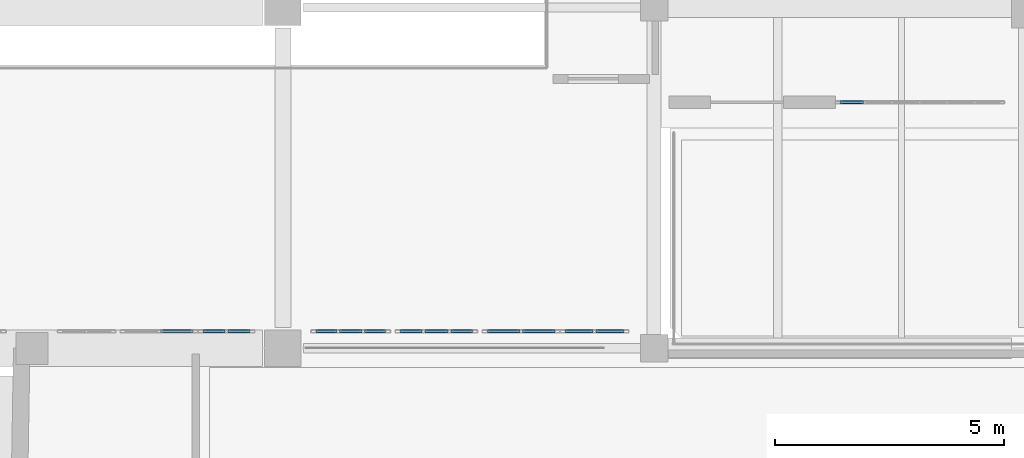
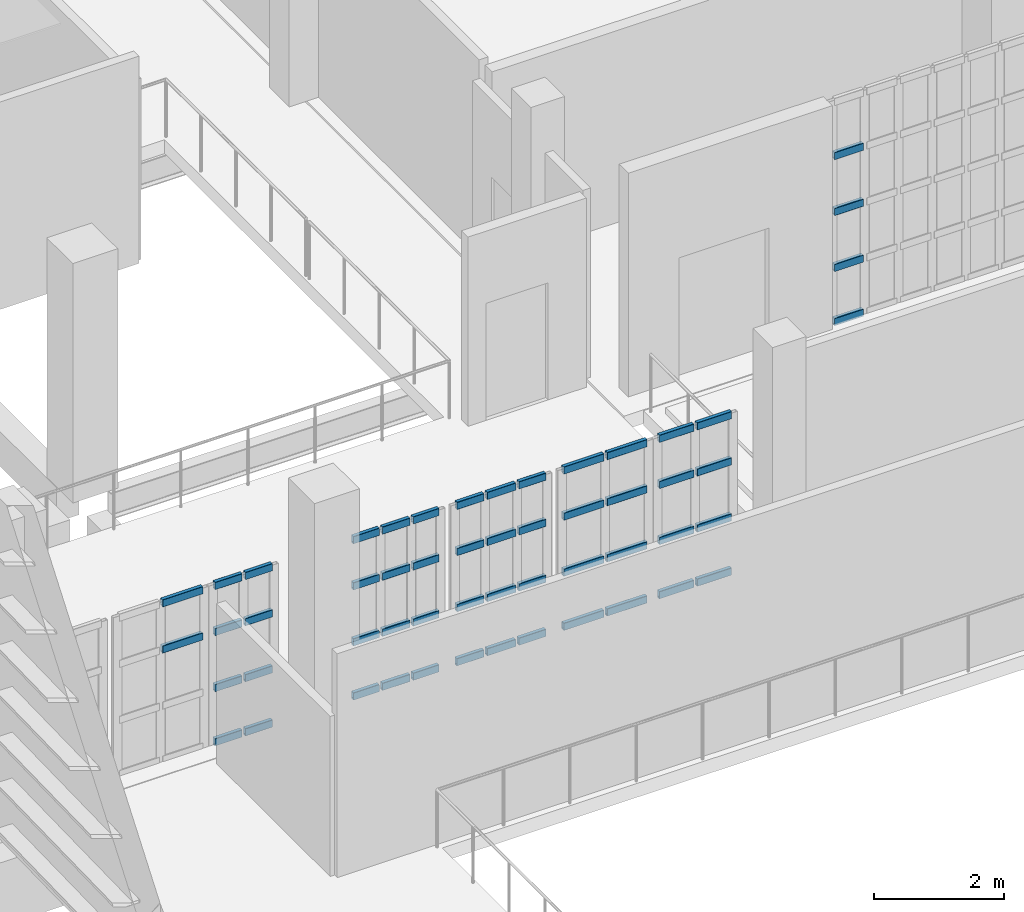
# One storey, part 38 of 73: 54 members, 7 elements without a shape of their own.
"""IFC4 building model written with IfcOpenShell, lengths in metres."""

import ifcopenshell
import ifcopenshell.guid

model = None  # the IFC model being written
_history = None  # IfcOwnerHistory: only IFC2X3 demands one
_inside = {}  # id of a spatial element -> (the spatial element, [elements in it])
_under = {}  # id of a project, library or spatial element -> (it, [spatial elements below it])
_declared = {}  # id of a project -> (the project, [libraries it declares])
_typed = {}  # id of a type object -> (the type object, [elements of that type])
_made_of = {}  # id of a material, layer set ... -> (it, [elements and type objects made of it])


def new_model(schema):
    """Start an empty IFC model of exactly this schema.

    Asked for "IFC4X3", IfcOpenShell would pick the latest addendum, in which some entities
    have other attributes; the version numbers below select the first issue.
    IFC2X3 requires an IfcOwnerHistory on every rooted entity: one is made here for all.
    """
    global model, _history
    if schema == "IFC4X3":
        model = ifcopenshell.file(schema_version=(4, 3, 0, 0))
    else:
        model = ifcopenshell.file(schema=schema)
    _inside.clear()
    _under.clear()
    _declared.clear()
    _typed.clear()
    _made_of.clear()
    _history = None
    if model.schema == "IFC2X3":
        org = make("IfcOrganization", Name="unknown")
        user = make(
            "IfcPersonAndOrganization",
            ThePerson=make("IfcPerson", FamilyName="unknown"),
            TheOrganization=org,
        )
        app = make(
            "IfcApplication",
            ApplicationDeveloper=org,
            Version="unknown",
            ApplicationFullName="unknown",
            ApplicationIdentifier="unknown",
        )
        _history = make(
            "IfcOwnerHistory",
            OwningUser=user,
            OwningApplication=app,
            ChangeAction="ADDED",
            CreationDate=0,
        )
    return model


def make(cls, **values):
    """One entity of the class cls with the attributes given. An attribute that is None is left unset."""
    return model.create_entity(
        cls, **{name: value for name, value in values.items() if value is not None}
    )


def rooted(cls, **values):
    """An entity with a GlobalId (a new one), such as an element, a storey or a relation."""
    return make(cls, GlobalId=ifcopenshell.guid.new(), OwnerHistory=_history, **values)


def si_unit(unit_type, name, prefix=None):
    """IfcSIUnit, for example si_unit("LENGTHUNIT", "METRE", prefix="MILLI")."""
    return make("IfcSIUnit", UnitType=unit_type, Prefix=prefix, Name=name)


def assignment(units):
    """IfcUnitAssignment: the units of a project."""
    return None if units is None else make("IfcUnitAssignment", Units=units)


def point(xyz):
    """IfcCartesianPoint."""
    return None if xyz is None else make("IfcCartesianPoint", Coordinates=xyz)


def direction(xyz):
    """IfcDirection."""
    return None if xyz is None else make("IfcDirection", DirectionRatios=xyz)


def frame(location, z_axis=None, x_axis=None):
    """IfcAxis2Placement3D, a coordinate frame: its origin and axes. An axis left out is left unset."""
    return make(
        "IfcAxis2Placement3D",
        Location=point(location),
        Axis=direction(z_axis),
        RefDirection=direction(x_axis),
    )


def frame_2d(location, x_axis=None):
    """IfcAxis2Placement2D, a coordinate frame in the plane: its origin and x axis."""
    return make(
        "IfcAxis2Placement2D", Location=point(location), RefDirection=direction(x_axis)
    )


def origin():
    """The frame at (0, 0, 0) with its axes left unset."""
    return frame((0.0, 0.0, 0.0))


def origin_2d():
    """The frame at (0, 0) in the plane with its x axis left unset."""
    return frame_2d((0.0, 0.0))


def place(relative_to, where):
    """IfcLocalPlacement: puts the frame where relative to a parent placement (None: the world)."""
    return make(
        "IfcLocalPlacement", PlacementRelTo=relative_to, RelativePlacement=where
    )


def context(
    kind, dimensions, precision=None, world=None, true_north=None, identifier=None
):
    """IfcGeometricRepresentationContext, for example the 3D "Model" context."""
    return make(
        "IfcGeometricRepresentationContext",
        ContextIdentifier=identifier,
        ContextType=kind,
        CoordinateSpaceDimension=dimensions,
        Precision=precision,
        WorldCoordinateSystem=world,
        TrueNorth=true_north,
    )


def subcontext(parent, identifier, kind, view, scale=None):
    """IfcGeometricRepresentationSubContext, for example "Body" below "Model"."""
    return make(
        "IfcGeometricRepresentationSubContext",
        ContextIdentifier=identifier,
        ContextType=kind,
        ParentContext=parent,
        TargetScale=scale,
        TargetView=view,
    )


def project(units=None, contexts=None):
    """IfcProject with its units and contexts."""
    return rooted(
        "IfcProject",
        Name="project",
        RepresentationContexts=contexts,
        UnitsInContext=assignment(units),
    )


def spatial(cls, under=None, at=None, **own):
    """A site, building, storey or space (cls), placed at a placement, below another one or the project."""
    s = rooted(cls, ObjectPlacement=at, **own)
    if under is not None:
        _under.setdefault(under.id(), (under, []))[1].append(s)
    return s


def profile(cls, at=None, kind="AREA", **sizes):
    """A parametric profile (cls). Its sizes go by their IFC names, for example OverallWidth=200.0."""
    return make(cls, ProfileType=kind, Position=at, **sizes)


def hollow_rectangle(**sizes):
    """IfcRectangleHollowProfileDef."""
    return profile("IfcRectangleHollowProfileDef", **sizes)


def extrude(swept, where, along, depth):
    """IfcExtrudedAreaSolid: the profile swept, set in the frame where, extruded along a direction by depth."""
    return make(
        "IfcExtrudedAreaSolid",
        SweptArea=swept,
        Position=where,
        ExtrudedDirection=direction(along),
        Depth=depth,
    )


def shape(context_of_items, identifier, shape_type, items):
    """IfcShapeRepresentation: the items that make up one representation, for example the "Body"."""
    return make(
        "IfcShapeRepresentation",
        ContextOfItems=context_of_items,
        RepresentationIdentifier=identifier,
        RepresentationType=shape_type,
        Items=items,
    )


def material(Name=None, Category=None):
    """IfcMaterial."""
    return make("IfcMaterial", Name=Name, Category=Category)


def material_profile(
    of_material, cross_section, Name=None, Category=None, Priority=None
):
    """IfcMaterialProfile: a cross section and its material."""
    return make(
        "IfcMaterialProfile",
        Name=Name,
        Material=of_material,
        Profile=cross_section,
        Priority=Priority,
        Category=Category,
    )


def profile_set(profiles, Name=None, composite=None):
    """IfcMaterialProfileSet."""
    return make(
        "IfcMaterialProfileSet",
        Name=Name,
        MaterialProfiles=profiles,
        CompositeProfile=composite,
    )


def made_of(thing, what):
    """Note that an element or type object is made of a material, layer set ...; save() writes the relation."""
    if what is not None:
        _made_of.setdefault(what.id(), (what, []))[1].append(thing)
    return thing


def type_object(cls, material=None, **own):
    """A type object (cls), such as IfcWallType, which elements share."""
    return made_of(rooted(cls, **own), material)


def element(
    cls,
    number,
    at=None,
    inside=None,
    cuts=None,
    type_object=None,
    material=None,
    context=None,
    identifier="Body",
    shape_type=None,
    held_by="IfcProductDefinitionShape",
    body=None,
    shapes=None,
    **own,
):
    """One element of the class cls, such as IfcWall. Its Tag is "e" and its number.

    at: its placement. inside: the storey or other place that contains it. cuts: it is an
    opening in that element (IfcRelVoidsElement). A single representation is given by context,
    identifier, shape_type and body (its items); several are given by shapes. held_by: the class
    of the entity that holds the representations. save() writes the other relations.
    """
    e = rooted(cls, Tag="e%d" % number, ObjectPlacement=at, **own)
    if body is not None:
        shapes = [shape(context, identifier, shape_type, body)]
    if shapes is not None:
        e.Representation = make(held_by, Representations=shapes)
    if inside is not None:
        _inside.setdefault(inside.id(), (inside, []))[1].append(e)
    if cuts is not None:
        rooted(
            "IfcRelVoidsElement", RelatingBuildingElement=cuts, RelatedOpeningElement=e
        )
    if type_object is not None:
        _typed.setdefault(type_object.id(), (type_object, []))[1].append(e)
    return made_of(e, material)


def aggregate(whole, parts):
    """IfcRelAggregates: a whole, such as a stair, and the parts it consists of."""
    return rooted("IfcRelAggregates", RelatingObject=whole, RelatedObjects=parts)


def save(model, path):
    """Write the relations noted so far, then the file.

    IfcRelAggregates (storeys below a building ...), IfcRelContainedInSpatialStructure (elements
    in a storey), IfcRelDefinesByType, IfcRelAssociatesMaterial and IfcRelDeclares: one each for
    every whole, place, type object, material and project.
    """
    for whole, parts in _under.values():
        aggregate(whole, parts)
    for where, things in _inside.values():
        rooted(
            "IfcRelContainedInSpatialStructure",
            RelatedElements=things,
            RelatingStructure=where,
        )
    for kind, things in _typed.values():
        rooted("IfcRelDefinesByType", RelatedObjects=things, RelatingType=kind)
    for what, things in _made_of.values():
        rooted("IfcRelAssociatesMaterial", RelatedObjects=things, RelatingMaterial=what)
    for by, libraries in _declared.values():
        rooted("IfcRelDeclares", RelatingContext=by, RelatedDefinitions=libraries)
    model.write(path)


model = new_model("IFC4")

# Units and contexts
model_context = context("Model", 3, precision=1e-05, world=origin(), true_north=direction((0.0, 1.0)))
body_context = subcontext(model_context, "Body", "Model", "MODEL_VIEW")
ifc_project = project(units=[si_unit("LENGTHUNIT", "METRE"), si_unit("AREAUNIT", "SQUARE_METRE"), si_unit("VOLUMEUNIT", "CUBIC_METRE"), si_unit("PLANEANGLEUNIT", "RADIAN"), si_unit("MASSUNIT", "GRAM", prefix="KILO")], contexts=[model_context])

# Site, building, storey
site_placement = place(None, origin())
site = spatial("IfcSite", under=ifc_project, at=site_placement, CompositionType="ELEMENT")
building_placement = place(site_placement, origin())
building = spatial("IfcBuilding", under=site, at=building_placement, Name="Kaelora Sail Theatre", CompositionType="ELEMENT")
storey_placement = place(building_placement, frame((0.0, 0.0, 10.199951171875)))
storey = spatial("IfcBuildingStorey", under=building, at=storey_placement, Name="L02", CompositionType="ELEMENT", Elevation=10.199951171875)

# Curtain wall, members
ifc_material_1 = material(Name="Anodised aluminium and solar-control low-E IGU", Category="aluminium")
curtain_wall_type = type_object("IfcCurtainWallType", Name="ARC-CW-CW-BRG", PredefinedType="NOTDEFINED", material=ifc_material_1)
curtain_wall_1_placement = place(storey_placement, origin())
curtain_wall_1 = element("IfcCurtainWall", 1, at=curtain_wall_1_placement, inside=storey, type_object=curtain_wall_type, Name="Glazed Foyer/Conservatory Curtain Wall FC1-S-L02-03", PredefinedType="NOTDEFINED")
ifc_material_2 = material(Name="Anodised aluminium 6063-T6", Category="aluminium")
ifc_material_profile = material_profile(ifc_material_2, hollow_rectangle(XDim=0.070068359375, YDim=0.139892578125, WallThickness=0.00390625, InnerFilletRadius=0.00390625, OuterFilletRadius=0.008056640625, at=origin_2d()), Name="ALU-TRAN 70x140x4")
ifc_profile_set = profile_set([ifc_material_profile], Name="Anodised aluminium 6063-T6")
member_type = type_object("IfcMemberType", Name="ARC-MEM-TR-140", PredefinedType="USERDEFINED", material=ifc_profile_set)
member_1_placement = place(storey_placement, frame((79.830078125, 61.389892578125, 2.10498046875), z_axis=(1.0, 0.0, 0.0), x_axis=(0.0, 1.0, 0.0)))
member_1 = element("IfcMember", 2, at=member_1_placement, type_object=member_type, Name="CW-BRG transom 2.3", ObjectType="TRANSOM", PredefinedType="USERDEFINED", context=body_context, shape_type="SweptSolid", body=[
    extrude(hollow_rectangle(XDim=0.070068359375, YDim=0.139892578125, WallThickness=0.00390625, InnerFilletRadius=0.00390625, OuterFilletRadius=0.008056640625, at=origin_2d()), origin(), (0.0, 0.0, 1.0), 0.7099609375),
])
member_2_placement = place(storey_placement, frame((79.830078125, 61.389892578125, 2.97216796875), z_axis=(1.0, 0.0, 0.0), x_axis=(0.0, 1.0, 0.0)))
member_2 = element("IfcMember", 3, at=member_2_placement, type_object=member_type, Name="CW-BRG transom 2.4", ObjectType="TRANSOM", PredefinedType="USERDEFINED", context=body_context, shape_type="SweptSolid", body=[
    extrude(hollow_rectangle(XDim=0.070068359375, YDim=0.139892578125, WallThickness=0.00390625, InnerFilletRadius=0.00390625, OuterFilletRadius=0.008056640625, at=origin_2d()), origin(), (0.0, 0.0, 1.0), 0.7099609375),
])
aggregate(curtain_wall_1, [member_1, member_2])

curtain_wall_2_placement = place(storey_placement, origin())
curtain_wall_2 = element("IfcCurtainWall", 4, at=curtain_wall_2_placement, inside=storey, type_object=curtain_wall_type, Name="Glazed Foyer/Conservatory Curtain Wall FC1-S-L02-04", PredefinedType="NOTDEFINED")
member_3_placement = place(storey_placement, frame((80.760009765625, 61.389892578125, 0.03515625), z_axis=(1.0, 0.0, 0.0), x_axis=(0.0, 1.0, 0.0)))
member_3 = element("IfcMember", 5, at=member_3_placement, type_object=member_type, Name="CW-BRG transom 1.1", ObjectType="TRANSOM", PredefinedType="USERDEFINED", context=body_context, shape_type="SweptSolid", body=[
    extrude(hollow_rectangle(XDim=0.070068359375, YDim=0.139892578125, WallThickness=0.00390625, InnerFilletRadius=0.00390625, OuterFilletRadius=0.008056640625, at=origin_2d()), origin(), (0.0, 0.0, 1.0), 0.47998046875),
])
member_4_placement = place(storey_placement, frame((80.760009765625, 61.389892578125, 1.052490234375), z_axis=(1.0, 0.0, 0.0), x_axis=(0.0, 1.0, 0.0)))
member_4 = element("IfcMember", 6, at=member_4_placement, type_object=member_type, Name="CW-BRG transom 1.2", ObjectType="TRANSOM", PredefinedType="USERDEFINED", context=body_context, shape_type="SweptSolid", body=[
    extrude(hollow_rectangle(XDim=0.070068359375, YDim=0.139892578125, WallThickness=0.00390625, InnerFilletRadius=0.00390625, OuterFilletRadius=0.008056640625, at=origin_2d()), origin(), (0.0, 0.0, 1.0), 0.47998046875),
])
member_5_placement = place(storey_placement, frame((80.760009765625, 61.389892578125, 2.10498046875), z_axis=(1.0, 0.0, 0.0), x_axis=(0.0, 1.0, 0.0)))
member_5 = element("IfcMember", 7, at=member_5_placement, type_object=member_type, Name="CW-BRG transom 1.3", ObjectType="TRANSOM", PredefinedType="USERDEFINED", context=body_context, shape_type="SweptSolid", body=[
    extrude(hollow_rectangle(XDim=0.070068359375, YDim=0.139892578125, WallThickness=0.00390625, InnerFilletRadius=0.00390625, OuterFilletRadius=0.008056640625, at=origin_2d()), origin(), (0.0, 0.0, 1.0), 0.47998046875),
])
member_6_placement = place(storey_placement, frame((80.760009765625, 61.389892578125, 2.97216796875), z_axis=(1.0, 0.0, 0.0), x_axis=(0.0, 1.0, 0.0)))
member_6 = element("IfcMember", 8, at=member_6_placement, type_object=member_type, Name="CW-BRG transom 1.4", ObjectType="TRANSOM", PredefinedType="USERDEFINED", context=body_context, shape_type="SweptSolid", body=[
    extrude(hollow_rectangle(XDim=0.070068359375, YDim=0.139892578125, WallThickness=0.00390625, InnerFilletRadius=0.00390625, OuterFilletRadius=0.008056640625, at=origin_2d()), origin(), (0.0, 0.0, 1.0), 0.47998046875),
])
member_7_placement = place(storey_placement, frame((81.300048828125, 61.389892578125, 0.03515625), z_axis=(1.0, 0.0, 0.0), x_axis=(0.0, 1.0, 0.0)))
member_7 = element("IfcMember", 9, at=member_7_placement, type_object=member_type, Name="CW-BRG transom 2.1", ObjectType="TRANSOM", PredefinedType="USERDEFINED", context=body_context, shape_type="SweptSolid", body=[
    extrude(hollow_rectangle(XDim=0.070068359375, YDim=0.139892578125, WallThickness=0.00390625, InnerFilletRadius=0.00390625, OuterFilletRadius=0.008056640625, at=origin_2d()), origin(), (0.0, 0.0, 1.0), 0.47998046875),
])
member_8_placement = place(storey_placement, frame((81.300048828125, 61.389892578125, 1.052490234375), z_axis=(1.0, 0.0, 0.0), x_axis=(0.0, 1.0, 0.0)))
member_8 = element("IfcMember", 10, at=member_8_placement, type_object=member_type, Name="CW-BRG transom 2.2", ObjectType="TRANSOM", PredefinedType="USERDEFINED", context=body_context, shape_type="SweptSolid", body=[
    extrude(hollow_rectangle(XDim=0.070068359375, YDim=0.139892578125, WallThickness=0.00390625, InnerFilletRadius=0.00390625, OuterFilletRadius=0.008056640625, at=origin_2d()), origin(), (0.0, 0.0, 1.0), 0.47998046875),
])
member_9_placement = place(storey_placement, frame((81.300048828125, 61.389892578125, 2.10498046875), z_axis=(1.0, 0.0, 0.0), x_axis=(0.0, 1.0, 0.0)))
member_9 = element("IfcMember", 11, at=member_9_placement, type_object=member_type, Name="CW-BRG transom 2.3", ObjectType="TRANSOM", PredefinedType="USERDEFINED", context=body_context, shape_type="SweptSolid", body=[
    extrude(hollow_rectangle(XDim=0.070068359375, YDim=0.139892578125, WallThickness=0.00390625, InnerFilletRadius=0.00390625, OuterFilletRadius=0.008056640625, at=origin_2d()), origin(), (0.0, 0.0, 1.0), 0.47998046875),
])
member_10_placement = place(storey_placement, frame((81.300048828125, 61.389892578125, 2.97216796875), z_axis=(1.0, 0.0, 0.0), x_axis=(0.0, 1.0, 0.0)))
member_10 = element("IfcMember", 12, at=member_10_placement, type_object=member_type, Name="CW-BRG transom 2.4", ObjectType="TRANSOM", PredefinedType="USERDEFINED", context=body_context, shape_type="SweptSolid", body=[
    extrude(hollow_rectangle(XDim=0.070068359375, YDim=0.139892578125, WallThickness=0.00390625, InnerFilletRadius=0.00390625, OuterFilletRadius=0.008056640625, at=origin_2d()), origin(), (0.0, 0.0, 1.0), 0.47998046875),
])
aggregate(curtain_wall_2, [member_3, member_4, member_5, member_6, member_7, member_8, member_9, member_10])

curtain_wall_3_placement = place(storey_placement, origin())
curtain_wall_3 = element("IfcCurtainWall", 13, at=curtain_wall_3_placement, inside=storey, type_object=curtain_wall_type, Name="Glazed Foyer/Conservatory Curtain Wall FC1-S-L02-05", PredefinedType="NOTDEFINED")
member_11_placement = place(storey_placement, frame((83.219970703125, 61.389892578125, 0.03515625), z_axis=(1.0, 0.0, 0.0), x_axis=(0.0, 1.0, 0.0)))
member_11 = element("IfcMember", 14, at=member_11_placement, type_object=member_type, Name="CW-BRG transom 1.1", ObjectType="TRANSOM", PredefinedType="USERDEFINED", context=body_context, shape_type="SweptSolid", body=[
    extrude(hollow_rectangle(XDim=0.070068359375, YDim=0.139892578125, WallThickness=0.00390625, InnerFilletRadius=0.00390625, OuterFilletRadius=0.008056640625, at=origin_2d()), origin(), (0.0, 0.0, 1.0), 0.456787109375),
])
member_12_placement = place(storey_placement, frame((83.219970703125, 61.389892578125, 1.052490234375), z_axis=(1.0, 0.0, 0.0), x_axis=(0.0, 1.0, 0.0)))
member_12 = element("IfcMember", 15, at=member_12_placement, type_object=member_type, Name="CW-BRG transom 1.2", ObjectType="TRANSOM", PredefinedType="USERDEFINED", context=body_context, shape_type="SweptSolid", body=[
    extrude(hollow_rectangle(XDim=0.070068359375, YDim=0.139892578125, WallThickness=0.00390625, InnerFilletRadius=0.00390625, OuterFilletRadius=0.008056640625, at=origin_2d()), origin(), (0.0, 0.0, 1.0), 0.456787109375),
])
member_13_placement = place(storey_placement, frame((83.219970703125, 61.389892578125, 2.10498046875), z_axis=(1.0, 0.0, 0.0), x_axis=(0.0, 1.0, 0.0)))
member_13 = element("IfcMember", 16, at=member_13_placement, type_object=member_type, Name="CW-BRG transom 1.3", ObjectType="TRANSOM", PredefinedType="USERDEFINED", context=body_context, shape_type="SweptSolid", body=[
    extrude(hollow_rectangle(XDim=0.070068359375, YDim=0.139892578125, WallThickness=0.00390625, InnerFilletRadius=0.00390625, OuterFilletRadius=0.008056640625, at=origin_2d()), origin(), (0.0, 0.0, 1.0), 0.456787109375),
])
member_14_placement = place(storey_placement, frame((83.219970703125, 61.389892578125, 2.97216796875), z_axis=(1.0, 0.0, 0.0), x_axis=(0.0, 1.0, 0.0)))
member_14 = element("IfcMember", 17, at=member_14_placement, type_object=member_type, Name="CW-BRG transom 1.4", ObjectType="TRANSOM", PredefinedType="USERDEFINED", context=body_context, shape_type="SweptSolid", body=[
    extrude(hollow_rectangle(XDim=0.070068359375, YDim=0.139892578125, WallThickness=0.00390625, InnerFilletRadius=0.00390625, OuterFilletRadius=0.008056640625, at=origin_2d()), origin(), (0.0, 0.0, 1.0), 0.456787109375),
])
member_15_placement = place(storey_placement, frame((83.736572265625, 61.389892578125, 0.03515625), z_axis=(1.0, 0.0, 0.0), x_axis=(0.0, 1.0, 0.0)))
member_15 = element("IfcMember", 18, at=member_15_placement, type_object=member_type, Name="CW-BRG transom 2.1", ObjectType="TRANSOM", PredefinedType="USERDEFINED", context=body_context, shape_type="SweptSolid", body=[
    extrude(hollow_rectangle(XDim=0.070068359375, YDim=0.139892578125, WallThickness=0.00390625, InnerFilletRadius=0.00390625, OuterFilletRadius=0.008056640625, at=origin_2d()), origin(), (0.0, 0.0, 1.0), 0.48681640625),
])
member_16_placement = place(storey_placement, frame((83.736572265625, 61.389892578125, 1.052490234375), z_axis=(1.0, 0.0, 0.0), x_axis=(0.0, 1.0, 0.0)))
member_16 = element("IfcMember", 19, at=member_16_placement, type_object=member_type, Name="CW-BRG transom 2.2", ObjectType="TRANSOM", PredefinedType="USERDEFINED", context=body_context, shape_type="SweptSolid", body=[
    extrude(hollow_rectangle(XDim=0.070068359375, YDim=0.139892578125, WallThickness=0.00390625, InnerFilletRadius=0.00390625, OuterFilletRadius=0.008056640625, at=origin_2d()), origin(), (0.0, 0.0, 1.0), 0.48681640625),
])
member_17_placement = place(storey_placement, frame((83.736572265625, 61.389892578125, 2.10498046875), z_axis=(1.0, 0.0, 0.0), x_axis=(0.0, 1.0, 0.0)))
member_17 = element("IfcMember", 20, at=member_17_placement, type_object=member_type, Name="CW-BRG transom 2.3", ObjectType="TRANSOM", PredefinedType="USERDEFINED", context=body_context, shape_type="SweptSolid", body=[
    extrude(hollow_rectangle(XDim=0.070068359375, YDim=0.139892578125, WallThickness=0.00390625, InnerFilletRadius=0.00390625, OuterFilletRadius=0.008056640625, at=origin_2d()), origin(), (0.0, 0.0, 1.0), 0.48681640625),
])
member_18_placement = place(storey_placement, frame((83.736572265625, 61.389892578125, 2.97216796875), z_axis=(1.0, 0.0, 0.0), x_axis=(0.0, 1.0, 0.0)))
member_18 = element("IfcMember", 21, at=member_18_placement, type_object=member_type, Name="CW-BRG transom 2.4", ObjectType="TRANSOM", PredefinedType="USERDEFINED", context=body_context, shape_type="SweptSolid", body=[
    extrude(hollow_rectangle(XDim=0.070068359375, YDim=0.139892578125, WallThickness=0.00390625, InnerFilletRadius=0.00390625, OuterFilletRadius=0.008056640625, at=origin_2d()), origin(), (0.0, 0.0, 1.0), 0.48681640625),
])
member_19_placement = place(storey_placement, frame((84.283447265625, 61.389892578125, 0.03515625), z_axis=(1.0, 0.0, 0.0), x_axis=(0.0, 1.0, 0.0)))
member_19 = element("IfcMember", 22, at=member_19_placement, type_object=member_type, Name="CW-BRG transom 3.1", ObjectType="TRANSOM", PredefinedType="USERDEFINED", context=body_context, shape_type="SweptSolid", body=[
    extrude(hollow_rectangle(XDim=0.070068359375, YDim=0.139892578125, WallThickness=0.00390625, InnerFilletRadius=0.00390625, OuterFilletRadius=0.008056640625, at=origin_2d()), origin(), (0.0, 0.0, 1.0), 0.45654296875),
])
member_20_placement = place(storey_placement, frame((84.283447265625, 61.389892578125, 1.052490234375), z_axis=(1.0, 0.0, 0.0), x_axis=(0.0, 1.0, 0.0)))
member_20 = element("IfcMember", 23, at=member_20_placement, type_object=member_type, Name="CW-BRG transom 3.2", ObjectType="TRANSOM", PredefinedType="USERDEFINED", context=body_context, shape_type="SweptSolid", body=[
    extrude(hollow_rectangle(XDim=0.070068359375, YDim=0.139892578125, WallThickness=0.00390625, InnerFilletRadius=0.00390625, OuterFilletRadius=0.008056640625, at=origin_2d()), origin(), (0.0, 0.0, 1.0), 0.45654296875),
])
member_21_placement = place(storey_placement, frame((84.283447265625, 61.389892578125, 2.10498046875), z_axis=(1.0, 0.0, 0.0), x_axis=(0.0, 1.0, 0.0)))
member_21 = element("IfcMember", 24, at=member_21_placement, type_object=member_type, Name="CW-BRG transom 3.3", ObjectType="TRANSOM", PredefinedType="USERDEFINED", context=body_context, shape_type="SweptSolid", body=[
    extrude(hollow_rectangle(XDim=0.070068359375, YDim=0.139892578125, WallThickness=0.00390625, InnerFilletRadius=0.00390625, OuterFilletRadius=0.008056640625, at=origin_2d()), origin(), (0.0, 0.0, 1.0), 0.45654296875),
])
member_22_placement = place(storey_placement, frame((84.283447265625, 61.389892578125, 2.97216796875), z_axis=(1.0, 0.0, 0.0), x_axis=(0.0, 1.0, 0.0)))
member_22 = element("IfcMember", 25, at=member_22_placement, type_object=member_type, Name="CW-BRG transom 3.4", ObjectType="TRANSOM", PredefinedType="USERDEFINED", context=body_context, shape_type="SweptSolid", body=[
    extrude(hollow_rectangle(XDim=0.070068359375, YDim=0.139892578125, WallThickness=0.00390625, InnerFilletRadius=0.00390625, OuterFilletRadius=0.008056640625, at=origin_2d()), origin(), (0.0, 0.0, 1.0), 0.45654296875),
])
aggregate(curtain_wall_3, [member_11, member_12, member_13, member_14, member_15, member_16, member_17, member_18, member_19, member_20, member_21, member_22])

curtain_wall_4_placement = place(storey_placement, origin())
curtain_wall_4 = element("IfcCurtainWall", 26, at=curtain_wall_4_placement, inside=storey, type_object=curtain_wall_type, Name="Glazed Foyer/Conservatory Curtain Wall FC1-S-L02-06", PredefinedType="NOTDEFINED")
member_23_placement = place(storey_placement, frame((85.06005859375, 61.389892578125, 0.03515625), z_axis=(1.0, 0.0, 0.0), x_axis=(0.0, 1.0, 0.0)))
member_23 = element("IfcMember", 27, at=member_23_placement, type_object=member_type, Name="CW-BRG transom 1.1", ObjectType="TRANSOM", PredefinedType="USERDEFINED", context=body_context, shape_type="SweptSolid", body=[
    extrude(hollow_rectangle(XDim=0.070068359375, YDim=0.139892578125, WallThickness=0.00390625, InnerFilletRadius=0.00390625, OuterFilletRadius=0.008056640625, at=origin_2d()), origin(), (0.0, 0.0, 1.0), 0.4765625),
])
member_24_placement = place(storey_placement, frame((85.06005859375, 61.389892578125, 1.052490234375), z_axis=(1.0, 0.0, 0.0), x_axis=(0.0, 1.0, 0.0)))
member_24 = element("IfcMember", 28, at=member_24_placement, type_object=member_type, Name="CW-BRG transom 1.2", ObjectType="TRANSOM", PredefinedType="USERDEFINED", context=body_context, shape_type="SweptSolid", body=[
    extrude(hollow_rectangle(XDim=0.070068359375, YDim=0.139892578125, WallThickness=0.00390625, InnerFilletRadius=0.00390625, OuterFilletRadius=0.008056640625, at=origin_2d()), origin(), (0.0, 0.0, 1.0), 0.4765625),
])
member_25_placement = place(storey_placement, frame((85.06005859375, 61.389892578125, 2.10498046875), z_axis=(1.0, 0.0, 0.0), x_axis=(0.0, 1.0, 0.0)))
member_25 = element("IfcMember", 29, at=member_25_placement, type_object=member_type, Name="CW-BRG transom 1.3", ObjectType="TRANSOM", PredefinedType="USERDEFINED", context=body_context, shape_type="SweptSolid", body=[
    extrude(hollow_rectangle(XDim=0.070068359375, YDim=0.139892578125, WallThickness=0.00390625, InnerFilletRadius=0.00390625, OuterFilletRadius=0.008056640625, at=origin_2d()), origin(), (0.0, 0.0, 1.0), 0.4765625),
])
member_26_placement = place(storey_placement, frame((85.06005859375, 61.389892578125, 2.97216796875), z_axis=(1.0, 0.0, 0.0), x_axis=(0.0, 1.0, 0.0)))
member_26 = element("IfcMember", 30, at=member_26_placement, type_object=member_type, Name="CW-BRG transom 1.4", ObjectType="TRANSOM", PredefinedType="USERDEFINED", context=body_context, shape_type="SweptSolid", body=[
    extrude(hollow_rectangle(XDim=0.070068359375, YDim=0.139892578125, WallThickness=0.00390625, InnerFilletRadius=0.00390625, OuterFilletRadius=0.008056640625, at=origin_2d()), origin(), (0.0, 0.0, 1.0), 0.4765625),
])
member_27_placement = place(storey_placement, frame((85.5966796875, 61.389892578125, 0.03515625), z_axis=(1.0, 0.0, 0.0), x_axis=(0.0, 1.0, 0.0)))
member_27 = element("IfcMember", 31, at=member_27_placement, type_object=member_type, Name="CW-BRG transom 2.1", ObjectType="TRANSOM", PredefinedType="USERDEFINED", context=body_context, shape_type="SweptSolid", body=[
    extrude(hollow_rectangle(XDim=0.070068359375, YDim=0.139892578125, WallThickness=0.00390625, InnerFilletRadius=0.00390625, OuterFilletRadius=0.008056640625, at=origin_2d()), origin(), (0.0, 0.0, 1.0), 0.506591796875),
])
member_28_placement = place(storey_placement, frame((85.5966796875, 61.389892578125, 1.052490234375), z_axis=(1.0, 0.0, 0.0), x_axis=(0.0, 1.0, 0.0)))
member_28 = element("IfcMember", 32, at=member_28_placement, type_object=member_type, Name="CW-BRG transom 2.2", ObjectType="TRANSOM", PredefinedType="USERDEFINED", context=body_context, shape_type="SweptSolid", body=[
    extrude(hollow_rectangle(XDim=0.070068359375, YDim=0.139892578125, WallThickness=0.00390625, InnerFilletRadius=0.00390625, OuterFilletRadius=0.008056640625, at=origin_2d()), origin(), (0.0, 0.0, 1.0), 0.506591796875),
])
member_29_placement = place(storey_placement, frame((85.5966796875, 61.389892578125, 2.10498046875), z_axis=(1.0, 0.0, 0.0), x_axis=(0.0, 1.0, 0.0)))
member_29 = element("IfcMember", 33, at=member_29_placement, type_object=member_type, Name="CW-BRG transom 2.3", ObjectType="TRANSOM", PredefinedType="USERDEFINED", context=body_context, shape_type="SweptSolid", body=[
    extrude(hollow_rectangle(XDim=0.070068359375, YDim=0.139892578125, WallThickness=0.00390625, InnerFilletRadius=0.00390625, OuterFilletRadius=0.008056640625, at=origin_2d()), origin(), (0.0, 0.0, 1.0), 0.506591796875),
])
member_30_placement = place(storey_placement, frame((85.5966796875, 61.389892578125, 2.97216796875), z_axis=(1.0, 0.0, 0.0), x_axis=(0.0, 1.0, 0.0)))
member_30 = element("IfcMember", 34, at=member_30_placement, type_object=member_type, Name="CW-BRG transom 2.4", ObjectType="TRANSOM", PredefinedType="USERDEFINED", context=body_context, shape_type="SweptSolid", body=[
    extrude(hollow_rectangle(XDim=0.070068359375, YDim=0.139892578125, WallThickness=0.00390625, InnerFilletRadius=0.00390625, OuterFilletRadius=0.008056640625, at=origin_2d()), origin(), (0.0, 0.0, 1.0), 0.506591796875),
])
member_31_placement = place(storey_placement, frame((86.163330078125, 61.389892578125, 0.03515625), z_axis=(1.0, 0.0, 0.0), x_axis=(0.0, 1.0, 0.0)))
member_31 = element("IfcMember", 35, at=member_31_placement, type_object=member_type, Name="CW-BRG transom 3.1", ObjectType="TRANSOM", PredefinedType="USERDEFINED", context=body_context, shape_type="SweptSolid", body=[
    extrude(hollow_rectangle(XDim=0.070068359375, YDim=0.139892578125, WallThickness=0.00390625, InnerFilletRadius=0.00390625, OuterFilletRadius=0.008056640625, at=origin_2d()), origin(), (0.0, 0.0, 1.0), 0.4765625),
])
member_32_placement = place(storey_placement, frame((86.163330078125, 61.389892578125, 1.052490234375), z_axis=(1.0, 0.0, 0.0), x_axis=(0.0, 1.0, 0.0)))
member_32 = element("IfcMember", 36, at=member_32_placement, type_object=member_type, Name="CW-BRG transom 3.2", ObjectType="TRANSOM", PredefinedType="USERDEFINED", context=body_context, shape_type="SweptSolid", body=[
    extrude(hollow_rectangle(XDim=0.070068359375, YDim=0.139892578125, WallThickness=0.00390625, InnerFilletRadius=0.00390625, OuterFilletRadius=0.008056640625, at=origin_2d()), origin(), (0.0, 0.0, 1.0), 0.4765625),
])
member_33_placement = place(storey_placement, frame((86.163330078125, 61.389892578125, 2.10498046875), z_axis=(1.0, 0.0, 0.0), x_axis=(0.0, 1.0, 0.0)))
member_33 = element("IfcMember", 37, at=member_33_placement, type_object=member_type, Name="CW-BRG transom 3.3", ObjectType="TRANSOM", PredefinedType="USERDEFINED", context=body_context, shape_type="SweptSolid", body=[
    extrude(hollow_rectangle(XDim=0.070068359375, YDim=0.139892578125, WallThickness=0.00390625, InnerFilletRadius=0.00390625, OuterFilletRadius=0.008056640625, at=origin_2d()), origin(), (0.0, 0.0, 1.0), 0.4765625),
])
member_34_placement = place(storey_placement, frame((86.163330078125, 61.389892578125, 2.97216796875), z_axis=(1.0, 0.0, 0.0), x_axis=(0.0, 1.0, 0.0)))
member_34 = element("IfcMember", 38, at=member_34_placement, type_object=member_type, Name="CW-BRG transom 3.4", ObjectType="TRANSOM", PredefinedType="USERDEFINED", context=body_context, shape_type="SweptSolid", body=[
    extrude(hollow_rectangle(XDim=0.070068359375, YDim=0.139892578125, WallThickness=0.00390625, InnerFilletRadius=0.00390625, OuterFilletRadius=0.008056640625, at=origin_2d()), origin(), (0.0, 0.0, 1.0), 0.4765625),
])
aggregate(curtain_wall_4, [member_23, member_24, member_25, member_26, member_27, member_28, member_29, member_30, member_31, member_32, member_33, member_34])

curtain_wall_5_placement = place(storey_placement, origin())
curtain_wall_5 = element("IfcCurtainWall", 39, at=curtain_wall_5_placement, inside=storey, type_object=curtain_wall_type, Name="Glazed Foyer/Conservatory Curtain Wall FC1-S-L02-07", PredefinedType="NOTDEFINED")
member_35_placement = place(storey_placement, frame((86.9599609375, 61.389892578125, 0.03515625), z_axis=(1.0, 0.0, 0.0), x_axis=(0.0, 1.0, 0.0)))
member_35 = element("IfcMember", 40, at=member_35_placement, type_object=member_type, Name="CW-BRG transom 1.1", ObjectType="TRANSOM", PredefinedType="USERDEFINED", context=body_context, shape_type="SweptSolid", body=[
    extrude(hollow_rectangle(XDim=0.070068359375, YDim=0.139892578125, WallThickness=0.00390625, InnerFilletRadius=0.00390625, OuterFilletRadius=0.008056640625, at=origin_2d()), origin(), (0.0, 0.0, 1.0), 0.7099609375),
])
member_36_placement = place(storey_placement, frame((86.9599609375, 61.389892578125, 1.052490234375), z_axis=(1.0, 0.0, 0.0), x_axis=(0.0, 1.0, 0.0)))
member_36 = element("IfcMember", 41, at=member_36_placement, type_object=member_type, Name="CW-BRG transom 1.2", ObjectType="TRANSOM", PredefinedType="USERDEFINED", context=body_context, shape_type="SweptSolid", body=[
    extrude(hollow_rectangle(XDim=0.070068359375, YDim=0.139892578125, WallThickness=0.00390625, InnerFilletRadius=0.00390625, OuterFilletRadius=0.008056640625, at=origin_2d()), origin(), (0.0, 0.0, 1.0), 0.7099609375),
])
member_37_placement = place(storey_placement, frame((86.9599609375, 61.389892578125, 2.10498046875), z_axis=(1.0, 0.0, 0.0), x_axis=(0.0, 1.0, 0.0)))
member_37 = element("IfcMember", 42, at=member_37_placement, type_object=member_type, Name="CW-BRG transom 1.3", ObjectType="TRANSOM", PredefinedType="USERDEFINED", context=body_context, shape_type="SweptSolid", body=[
    extrude(hollow_rectangle(XDim=0.070068359375, YDim=0.139892578125, WallThickness=0.00390625, InnerFilletRadius=0.00390625, OuterFilletRadius=0.008056640625, at=origin_2d()), origin(), (0.0, 0.0, 1.0), 0.7099609375),
])
member_38_placement = place(storey_placement, frame((86.9599609375, 61.389892578125, 2.97216796875), z_axis=(1.0, 0.0, 0.0), x_axis=(0.0, 1.0, 0.0)))
member_38 = element("IfcMember", 43, at=member_38_placement, type_object=member_type, Name="CW-BRG transom 1.4", ObjectType="TRANSOM", PredefinedType="USERDEFINED", context=body_context, shape_type="SweptSolid", body=[
    extrude(hollow_rectangle(XDim=0.070068359375, YDim=0.139892578125, WallThickness=0.00390625, InnerFilletRadius=0.00390625, OuterFilletRadius=0.008056640625, at=origin_2d()), origin(), (0.0, 0.0, 1.0), 0.7099609375),
])
member_39_placement = place(storey_placement, frame((87.72998046875, 61.389892578125, 0.03515625), z_axis=(1.0, 0.0, 0.0), x_axis=(0.0, 1.0, 0.0)))
member_39 = element("IfcMember", 44, at=member_39_placement, type_object=member_type, Name="CW-BRG transom 2.1", ObjectType="TRANSOM", PredefinedType="USERDEFINED", context=body_context, shape_type="SweptSolid", body=[
    extrude(hollow_rectangle(XDim=0.070068359375, YDim=0.139892578125, WallThickness=0.00390625, InnerFilletRadius=0.00390625, OuterFilletRadius=0.008056640625, at=origin_2d()), origin(), (0.0, 0.0, 1.0), 0.7099609375),
])
member_40_placement = place(storey_placement, frame((87.72998046875, 61.389892578125, 1.052490234375), z_axis=(1.0, 0.0, 0.0), x_axis=(0.0, 1.0, 0.0)))
member_40 = element("IfcMember", 45, at=member_40_placement, type_object=member_type, Name="CW-BRG transom 2.2", ObjectType="TRANSOM", PredefinedType="USERDEFINED", context=body_context, shape_type="SweptSolid", body=[
    extrude(hollow_rectangle(XDim=0.070068359375, YDim=0.139892578125, WallThickness=0.00390625, InnerFilletRadius=0.00390625, OuterFilletRadius=0.008056640625, at=origin_2d()), origin(), (0.0, 0.0, 1.0), 0.7099609375),
])
member_41_placement = place(storey_placement, frame((87.72998046875, 61.389892578125, 2.10498046875), z_axis=(1.0, 0.0, 0.0), x_axis=(0.0, 1.0, 0.0)))
member_41 = element("IfcMember", 46, at=member_41_placement, type_object=member_type, Name="CW-BRG transom 2.3", ObjectType="TRANSOM", PredefinedType="USERDEFINED", context=body_context, shape_type="SweptSolid", body=[
    extrude(hollow_rectangle(XDim=0.070068359375, YDim=0.139892578125, WallThickness=0.00390625, InnerFilletRadius=0.00390625, OuterFilletRadius=0.008056640625, at=origin_2d()), origin(), (0.0, 0.0, 1.0), 0.7099609375),
])
member_42_placement = place(storey_placement, frame((87.72998046875, 61.389892578125, 2.97216796875), z_axis=(1.0, 0.0, 0.0), x_axis=(0.0, 1.0, 0.0)))
member_42 = element("IfcMember", 47, at=member_42_placement, type_object=member_type, Name="CW-BRG transom 2.4", ObjectType="TRANSOM", PredefinedType="USERDEFINED", context=body_context, shape_type="SweptSolid", body=[
    extrude(hollow_rectangle(XDim=0.070068359375, YDim=0.139892578125, WallThickness=0.00390625, InnerFilletRadius=0.00390625, OuterFilletRadius=0.008056640625, at=origin_2d()), origin(), (0.0, 0.0, 1.0), 0.7099609375),
])
aggregate(curtain_wall_5, [member_35, member_36, member_37, member_38, member_39, member_40, member_41, member_42])

curtain_wall_6_placement = place(storey_placement, origin())
curtain_wall_6 = element("IfcCurtainWall", 48, at=curtain_wall_6_placement, inside=storey, type_object=curtain_wall_type, Name="Glazed Foyer/Conservatory Curtain Wall FC1-S-L02-08", PredefinedType="NOTDEFINED")
member_43_placement = place(storey_placement, frame((88.659912109375, 61.389892578125, 0.03515625), z_axis=(1.0, 0.0, 0.0), x_axis=(0.0, 1.0, 0.0)))
member_43 = element("IfcMember", 49, at=member_43_placement, type_object=member_type, Name="CW-BRG transom 1.1", ObjectType="TRANSOM", PredefinedType="USERDEFINED", context=body_context, shape_type="SweptSolid", body=[
    extrude(hollow_rectangle(XDim=0.070068359375, YDim=0.139892578125, WallThickness=0.00390625, InnerFilletRadius=0.00390625, OuterFilletRadius=0.008056640625, at=origin_2d()), origin(), (0.0, 0.0, 1.0), 0.610107421875),
])
member_44_placement = place(storey_placement, frame((88.659912109375, 61.389892578125, 1.052490234375), z_axis=(1.0, 0.0, 0.0), x_axis=(0.0, 1.0, 0.0)))
member_44 = element("IfcMember", 50, at=member_44_placement, type_object=member_type, Name="CW-BRG transom 1.2", ObjectType="TRANSOM", PredefinedType="USERDEFINED", context=body_context, shape_type="SweptSolid", body=[
    extrude(hollow_rectangle(XDim=0.070068359375, YDim=0.139892578125, WallThickness=0.00390625, InnerFilletRadius=0.00390625, OuterFilletRadius=0.008056640625, at=origin_2d()), origin(), (0.0, 0.0, 1.0), 0.610107421875),
])
member_45_placement = place(storey_placement, frame((88.659912109375, 61.389892578125, 2.10498046875), z_axis=(1.0, 0.0, 0.0), x_axis=(0.0, 1.0, 0.0)))
member_45 = element("IfcMember", 51, at=member_45_placement, type_object=member_type, Name="CW-BRG transom 1.3", ObjectType="TRANSOM", PredefinedType="USERDEFINED", context=body_context, shape_type="SweptSolid", body=[
    extrude(hollow_rectangle(XDim=0.070068359375, YDim=0.139892578125, WallThickness=0.00390625, InnerFilletRadius=0.00390625, OuterFilletRadius=0.008056640625, at=origin_2d()), origin(), (0.0, 0.0, 1.0), 0.610107421875),
])
member_46_placement = place(storey_placement, frame((88.659912109375, 61.389892578125, 2.97216796875), z_axis=(1.0, 0.0, 0.0), x_axis=(0.0, 1.0, 0.0)))
member_46 = element("IfcMember", 52, at=member_46_placement, type_object=member_type, Name="CW-BRG transom 1.4", ObjectType="TRANSOM", PredefinedType="USERDEFINED", context=body_context, shape_type="SweptSolid", body=[
    extrude(hollow_rectangle(XDim=0.070068359375, YDim=0.139892578125, WallThickness=0.00390625, InnerFilletRadius=0.00390625, OuterFilletRadius=0.008056640625, at=origin_2d()), origin(), (0.0, 0.0, 1.0), 0.610107421875),
])
member_47_placement = place(storey_placement, frame((89.330078125, 61.389892578125, 0.03515625), z_axis=(1.0, 0.0, 0.0), x_axis=(0.0, 1.0, 0.0)))
member_47 = element("IfcMember", 53, at=member_47_placement, type_object=member_type, Name="CW-BRG transom 2.1", ObjectType="TRANSOM", PredefinedType="USERDEFINED", context=body_context, shape_type="SweptSolid", body=[
    extrude(hollow_rectangle(XDim=0.070068359375, YDim=0.139892578125, WallThickness=0.00390625, InnerFilletRadius=0.00390625, OuterFilletRadius=0.008056640625, at=origin_2d()), origin(), (0.0, 0.0, 1.0), 0.60986328125),
])
member_48_placement = place(storey_placement, frame((89.330078125, 61.389892578125, 1.052490234375), z_axis=(1.0, 0.0, 0.0), x_axis=(0.0, 1.0, 0.0)))
member_48 = element("IfcMember", 54, at=member_48_placement, type_object=member_type, Name="CW-BRG transom 2.2", ObjectType="TRANSOM", PredefinedType="USERDEFINED", context=body_context, shape_type="SweptSolid", body=[
    extrude(hollow_rectangle(XDim=0.070068359375, YDim=0.139892578125, WallThickness=0.00390625, InnerFilletRadius=0.00390625, OuterFilletRadius=0.008056640625, at=origin_2d()), origin(), (0.0, 0.0, 1.0), 0.60986328125),
])
member_49_placement = place(storey_placement, frame((89.330078125, 61.389892578125, 2.10498046875), z_axis=(1.0, 0.0, 0.0), x_axis=(0.0, 1.0, 0.0)))
member_49 = element("IfcMember", 55, at=member_49_placement, type_object=member_type, Name="CW-BRG transom 2.3", ObjectType="TRANSOM", PredefinedType="USERDEFINED", context=body_context, shape_type="SweptSolid", body=[
    extrude(hollow_rectangle(XDim=0.070068359375, YDim=0.139892578125, WallThickness=0.00390625, InnerFilletRadius=0.00390625, OuterFilletRadius=0.008056640625, at=origin_2d()), origin(), (0.0, 0.0, 1.0), 0.60986328125),
])
member_50_placement = place(storey_placement, frame((89.330078125, 61.389892578125, 2.97216796875), z_axis=(1.0, 0.0, 0.0), x_axis=(0.0, 1.0, 0.0)))
member_50 = element("IfcMember", 56, at=member_50_placement, type_object=member_type, Name="CW-BRG transom 2.4", ObjectType="TRANSOM", PredefinedType="USERDEFINED", context=body_context, shape_type="SweptSolid", body=[
    extrude(hollow_rectangle(XDim=0.070068359375, YDim=0.139892578125, WallThickness=0.00390625, InnerFilletRadius=0.00390625, OuterFilletRadius=0.008056640625, at=origin_2d()), origin(), (0.0, 0.0, 1.0), 0.60986328125),
])
aggregate(curtain_wall_6, [member_43, member_44, member_45, member_46, member_47, member_48, member_49, member_50])

curtain_wall_7_placement = place(storey_placement, origin())
curtain_wall_7 = element("IfcCurtainWall", 57, at=curtain_wall_7_placement, inside=storey, type_object=curtain_wall_type, Name="Glazed Foyer/Conservatory Curtain Wall FC2-S-L02-01", PredefinedType="NOTDEFINED")
member_51_placement = place(storey_placement, frame((94.659912109375, 66.389892578125, 0.03515625), z_axis=(1.0, 0.0, 0.0), x_axis=(0.0, 1.0, 0.0)))
member_51 = element("IfcMember", 58, at=member_51_placement, type_object=member_type, Name="CW-BRG transom 1.1", ObjectType="TRANSOM", PredefinedType="USERDEFINED", context=body_context, shape_type="SweptSolid", body=[
    extrude(hollow_rectangle(XDim=0.070068359375, YDim=0.139892578125, WallThickness=0.00390625, InnerFilletRadius=0.00390625, OuterFilletRadius=0.008056640625, at=origin_2d()), origin(), (0.0, 0.0, 1.0), 0.510009765625),
])
member_52_placement = place(storey_placement, frame((94.659912109375, 66.389892578125, 1.05126953125), z_axis=(1.0, 0.0, 0.0), x_axis=(0.0, 1.0, 0.0)))
member_52 = element("IfcMember", 59, at=member_52_placement, type_object=member_type, Name="CW-BRG transom 1.2", ObjectType="TRANSOM", PredefinedType="USERDEFINED", context=body_context, shape_type="SweptSolid", body=[
    extrude(hollow_rectangle(XDim=0.070068359375, YDim=0.139892578125, WallThickness=0.00390625, InnerFilletRadius=0.00390625, OuterFilletRadius=0.008056640625, at=origin_2d()), origin(), (0.0, 0.0, 1.0), 0.510009765625),
])
member_53_placement = place(storey_placement, frame((94.659912109375, 66.389892578125, 2.1025390625), z_axis=(1.0, 0.0, 0.0), x_axis=(0.0, 1.0, 0.0)))
member_53 = element("IfcMember", 60, at=member_53_placement, type_object=member_type, Name="CW-BRG transom 1.3", ObjectType="TRANSOM", PredefinedType="USERDEFINED", context=body_context, shape_type="SweptSolid", body=[
    extrude(hollow_rectangle(XDim=0.070068359375, YDim=0.139892578125, WallThickness=0.00390625, InnerFilletRadius=0.00390625, OuterFilletRadius=0.008056640625, at=origin_2d()), origin(), (0.0, 0.0, 1.0), 0.510009765625),
])
member_54_placement = place(storey_placement, frame((94.659912109375, 66.389892578125, 3.15380859375), z_axis=(1.0, 0.0, 0.0), x_axis=(0.0, 1.0, 0.0)))
member_54 = element("IfcMember", 61, at=member_54_placement, type_object=member_type, Name="CW-BRG transom 1.4", ObjectType="TRANSOM", PredefinedType="USERDEFINED", context=body_context, shape_type="SweptSolid", body=[
    extrude(hollow_rectangle(XDim=0.070068359375, YDim=0.139892578125, WallThickness=0.00390625, InnerFilletRadius=0.00390625, OuterFilletRadius=0.008056640625, at=origin_2d()), origin(), (0.0, 0.0, 1.0), 0.510009765625),
])
aggregate(curtain_wall_7, [member_51, member_52, member_53, member_54])

save(model, "model.ifc")
